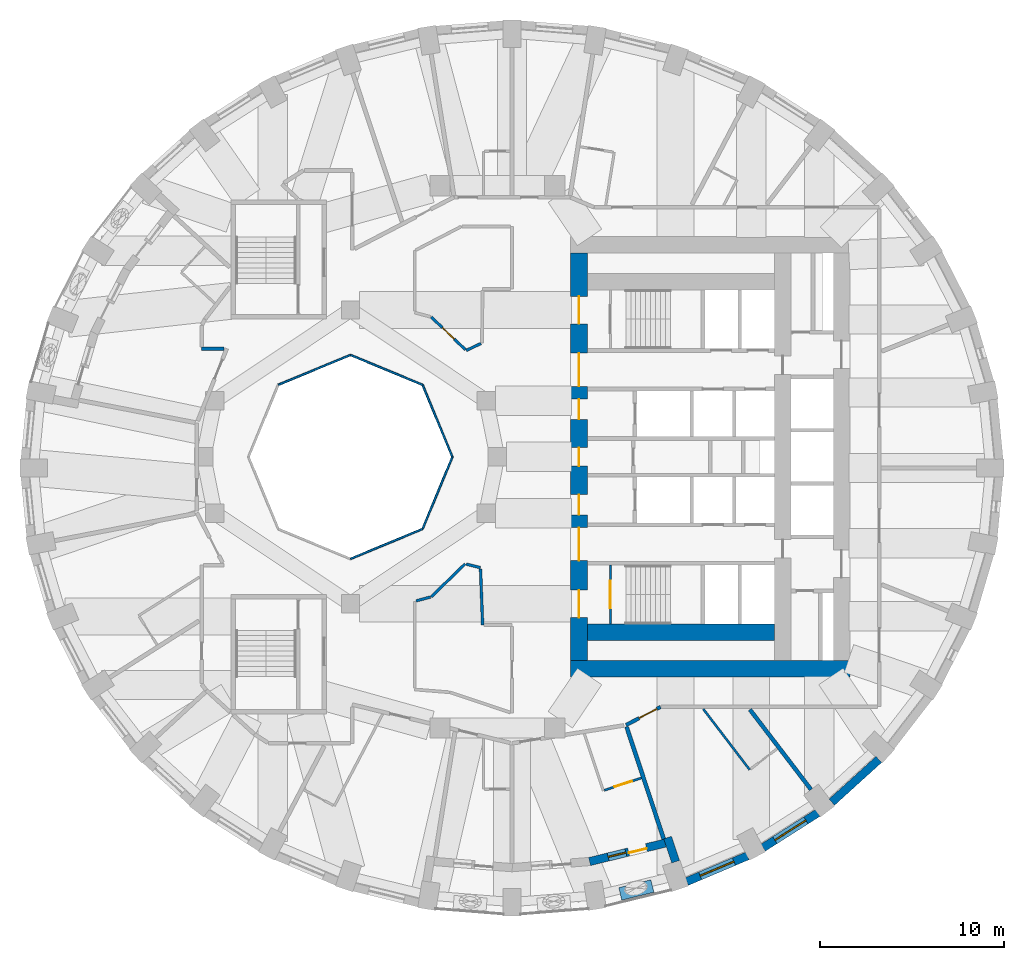
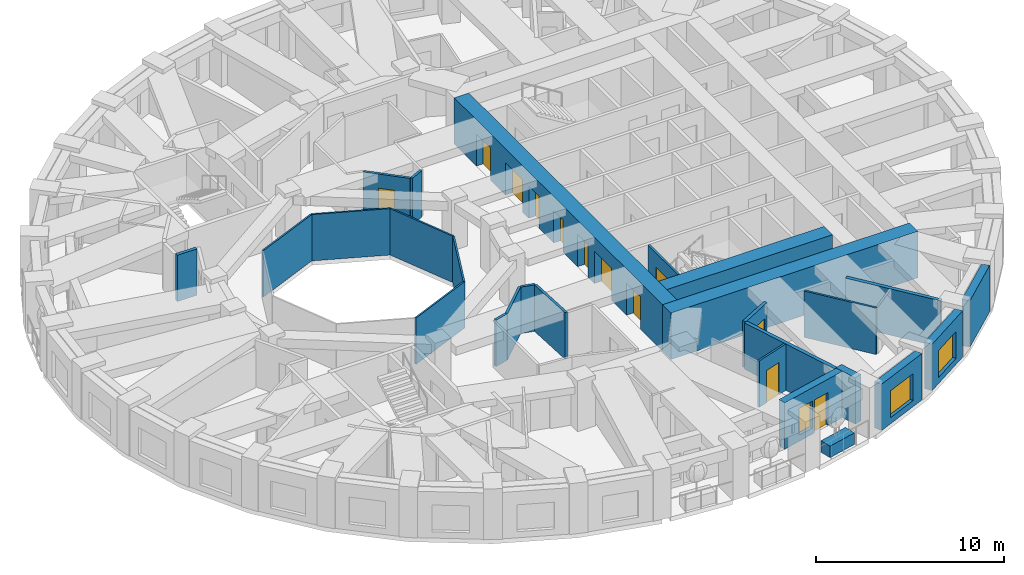
# One storey, part 5 of 13: 27 walls, 12 doors, 3 windows, 15 openings.
"""IFC4 building model written with IfcOpenShell, lengths in metres."""

from ifc_helpers import new_model, si_unit, direction, frame, frame_2d, origin, place, context, subcontext, project, spatial, rectangle, extrude, material, layer, layer_set, constituent, constituent_set, type_object, element, fill, save


model = new_model("IFC4")

# Units and contexts
model_context = context("Model", 3, precision=1e-05, world=origin(), true_north=direction((0.0, 1.0)))
body_context = subcontext(model_context, "Body", "Model", "MODEL_VIEW")
ifc_project = project(units=[si_unit("LENGTHUNIT", "METRE"), si_unit("AREAUNIT", "SQUARE_METRE"), si_unit("VOLUMEUNIT", "CUBIC_METRE"), si_unit("PLANEANGLEUNIT", "RADIAN"), si_unit("MASSUNIT", "GRAM", prefix="KILO")], contexts=[model_context])

# Site, building, storey
site_placement = place(None, origin())
site = spatial("IfcSite", under=ifc_project, at=site_placement, CompositionType="ELEMENT")
building_placement = place(site_placement, origin())
building = spatial("IfcBuilding", under=site, at=building_placement, Name="Taillehof Tower", CompositionType="ELEMENT")
storey_placement = place(building_placement, frame((0.0, 0.0, 108.699951171875)))
storey = spatial("IfcBuildingStorey", under=building, at=storey_placement, Name="L30", CompositionType="ELEMENT", Elevation=108.699951171875)

# Walls
ifc_material_1 = material(Name="Fire-resisting glass in steel frame", Category="steel")
ifc_layer_1 = layer(ifc_material_1, 0.10009765625)
ifc_layer_set_1 = layer_set([ifc_layer_1], Name="Atrium fire-resisting screen EI 60 100")
wall_type_1 = type_object("IfcWallType", Name="Atrium fire-resisting screen EI 60 100", PredefinedType="PARTITIONING", material=ifc_layer_set_1)
for number, where, z_axis, x_axis, name in (
    (1, (-2.44580078125, 0.0, 0.0), (0.0, 0.0, 1.0), (-0.382730523909, -0.923860025149, 0.0), "Atrium screen"),
    (2, (-4.07275390625, -3.92724609375, 0.0), (0.0, 0.0, 1.0), (-0.923860025149, -0.382730523909, 0.0), "Atrium screen"),
    (3, (-11.92724609375, 3.92724609375, 0.0), (0.0, 0.0, 1.0), (0.923860025149, 0.382730523909, 0.0), "Atrium screen"),
    (4, (-8.0, 5.55419921875, 0.0), (0.0, 0.0, 1.0), (0.923860025149, -0.382730523909, 0.0), "Atrium screen"),
    (5, (-4.07275390625, 3.92724609375, 0.0), (0.0, 0.0, 1.0), (0.382730523909, -0.923860025149, 0.0), "Atrium screen"),
):
    element("IfcWall", number, at=place(storey_placement, frame(where, z_axis=z_axis, x_axis=x_axis)), inside=storey, type_object=wall_type_1, Name=name, PredefinedType="PARTITIONING", context=body_context, shape_type="SweptSolid", body=[
        extrude(rectangle(XDim=4.2509765625, YDim=0.10009765625, at=frame_2d((2.12548828125, 0.0))), origin(), (0.0, 0.0, 1.0), 3.02001953125),
    ])

# Wall, opening, window
ifc_material_2 = material(Name="Brick masonry", Category="masonry")
ifc_layer_2 = layer(ifc_material_2, 0.449951171875)
ifc_layer_set_2 = layer_set([ifc_layer_2], Name="Brick infill wall 450")
wall_type_2 = type_object("IfcWallType", Name="Brick infill wall 450", PredefinedType="SOLIDWALL", material=ifc_layer_set_2)
wall_1_placement = place(storey_placement, frame((10.318115234375, -23.133544921875, 0.0), z_axis=(0.0, 0.0, 1.0), x_axis=(0.920869643542, 0.389870619055, 0.0)))
wall_1 = element("IfcWall", 6, at=wall_1_placement, inside=storey, type_object=wall_type_2, Name="Brick wall L30 bay 30", PredefinedType="SOLIDWALL", context=body_context, shape_type="SweptSolid", body=[
    extrude(rectangle(XDim=3.59130859375, YDim=0.449951171875, at=frame_2d((1.795654296875, 0.0))), origin(), (0.0, 0.0, 1.0), 3.02001953125),
])
opening_1_placement = place(wall_1_placement, frame((0.795654296875, 0.0, 0.39990234375)))
opening_1 = element("IfcOpeningElement", 7, at=opening_1_placement, cuts=wall_1, Name="Opening W2", PredefinedType="OPENING", context=body_context, shape_type="SweptSolid", body=[
    extrude(rectangle(XDim=2.0, YDim=1.75, at=frame_2d((1.0, 0.875))), frame((0.0, 0.23486328125, 0.0), z_axis=(0.0, -1.0, 0.0), x_axis=(1.0, 0.0, 0.0)), (0.0, 0.0, 1.0), 0.469970703125),
])
ifc_material_3 = material(Name="Aluminium window frame with clear double glazing", Category="aluminium")
window_type_1 = type_object("IfcWindowType", Name="Deep-set window 2000x1750", PartitioningType="SINGLE_PANEL", PredefinedType="WINDOW", material=ifc_material_3)
window_1_placement = place(opening_1_placement, origin())
window_1 = element("IfcWindow", 8, at=window_1_placement, inside=storey, type_object=window_type_1, Name="W2", OverallHeight=1.75, OverallWidth=2.0, PartitioningType="SINGLE_PANEL", PredefinedType="WINDOW", context=body_context, shape_type="SweptSolid", body=[
    extrude(rectangle(XDim=2.0, YDim=1.75, at=frame_2d((1.0, 0.875))), frame((0.0, 0.034912109375, 0.0), z_axis=(0.0, -1.0, 0.0), x_axis=(1.0, 0.0, 0.0)), (0.0, 0.0, 1.0), 0.06005859375),
])
fill(opening_1, window_1)

wall_2_placement = place(storey_placement, frame((14.475341796875, -21.287109375, 0.0), z_axis=(0.0, 0.0, 1.0), x_axis=(0.843911841423, 0.536481876587, 0.0)))
wall_2 = element("IfcWall", 9, at=wall_2_placement, inside=storey, type_object=wall_type_2, Name="Brick wall L30 bay 31", PredefinedType="SOLIDWALL", context=body_context, shape_type="SweptSolid", body=[
    extrude(rectangle(XDim=3.5322265625, YDim=0.449951171875, at=frame_2d((1.76611328125, 0.0))), origin(), (0.0, 0.0, 1.0), 3.02001953125),
])
opening_2_placement = place(wall_2_placement, frame((0.76611328125, 0.0, 0.39990234375)))
opening_2 = element("IfcOpeningElement", 10, at=opening_2_placement, cuts=wall_2, Name="Opening W2", PredefinedType="OPENING", context=body_context, shape_type="SweptSolid", body=[
    extrude(rectangle(XDim=2.0, YDim=1.75, at=frame_2d((1.0, 0.875))), frame((0.0, 0.23486328125, 0.0), z_axis=(0.0, -1.0, 0.0), x_axis=(1.0, 0.0, 0.0)), (0.0, 0.0, 1.0), 0.469970703125),
])
window_2_placement = place(opening_2_placement, origin())
window_2 = element("IfcWindow", 11, at=window_2_placement, inside=storey, type_object=window_type_1, Name="W2", OverallHeight=1.75, OverallWidth=2.0, PartitioningType="SINGLE_PANEL", PredefinedType="WINDOW", context=body_context, shape_type="SweptSolid", body=[
    extrude(rectangle(XDim=2.0, YDim=1.75, at=frame_2d((1.0, 0.875))), frame((0.0, 0.034912109375, 0.0), z_axis=(0.0, -1.0, 0.0), x_axis=(1.0, 0.0, 0.0)), (0.0, 0.0, 1.0), 0.06005859375),
])
fill(opening_2, window_2)

# Walls
wall_3_placement = place(storey_placement, frame((18.219482421875, -18.8095703125, 0.0), z_axis=(0.0, 0.0, 1.0), x_axis=(0.740364106106, 0.672206062446, 0.0)))
element("IfcWall", 12, at=wall_3_placement, inside=storey, type_object=wall_type_2, Name="Brick wall L30 bay 32", PredefinedType="SOLIDWALL", context=body_context, shape_type="SweptSolid", body=[
    extrude(rectangle(XDim=3.4638671875, YDim=0.449951171875, at=frame_2d((1.73193359375, 0.0))), origin(), (0.0, 0.0, 1.0), 3.02001953125),
])
wall_4_placement = place(storey_placement, frame((9.71435546875, -22.05322265625, 0.0), z_axis=(0.0, 0.0, 1.0), x_axis=(-0.314647068585, 0.949208734805, 0.0)))
element("IfcWall", 13, at=wall_4_placement, inside=storey, type_object=wall_type_2, Name="Brick reveal L30 pocket 8", PredefinedType="SOLIDWALL", context=body_context, shape_type="SweptSolid", body=[
    extrude(rectangle(XDim=1.390380859375, YDim=0.449951171875, at=frame_2d((0.6953125, 0.0))), origin(), (0.0, 0.0, 1.0), 3.02001953125),
])

# Wall, openings, door, window
wall_5_placement = place(storey_placement, frame((5.02001953125, -22.041015625, 0.0), z_axis=(0.0, 0.0, 1.0), x_axis=(0.971521631711, 0.236950879125, 0.0)))
wall_5 = element("IfcWall", 14, at=wall_5_placement, inside=storey, type_object=wall_type_2, Name="Brick wall L30 pocket bay 29", PredefinedType="SOLIDWALL", context=body_context, shape_type="SweptSolid", body=[
    extrude(rectangle(XDim=4.240966796875, YDim=0.449951171875, at=frame_2d((2.12060546875, 0.0))), origin(), (0.0, 0.0, 1.0), 3.02001953125),
])
opening_3_placement = place(wall_5_placement, frame((1.04541015625, 0.0, 0.39990234375)))
opening_3 = element("IfcOpeningElement", 15, at=opening_3_placement, cuts=wall_5, Name="Opening W5", PredefinedType="OPENING", context=body_context, shape_type="SweptSolid", body=[
    extrude(rectangle(XDim=1.0, YDim=1.75, at=frame_2d((0.5, 0.875))), frame((0.0, 0.23486328125, 0.0), z_axis=(0.0, -1.0, 0.0), x_axis=(1.0, 0.0, 0.0)), (0.0, 0.0, 1.0), 0.469970703125),
])
opening_4_placement = place(wall_5_placement, frame((2.195556640625, 0.0, 0.0)))
opening_4 = element("IfcOpeningElement", 16, at=opening_4_placement, cuts=wall_5, Name="Opening D3096", PredefinedType="OPENING", context=body_context, shape_type="SweptSolid", body=[
    extrude(rectangle(XDim=1.0, YDim=2.14990234375, at=frame_2d((0.5, 1.074951171875))), frame((0.0, 0.23486328125, 0.0), z_axis=(0.0, -1.0, 0.0), x_axis=(1.0, 0.0, 0.0)), (0.0, 0.0, 1.0), 0.469970703125),
])
ifc_material_4 = material(Name="Aluminium door frame with clear double glazing", Category="aluminium")
door_type_1 = type_object("IfcDoorType", Name="Balcony door 1000x2150", OperationType="SINGLE_SWING_RIGHT", PredefinedType="DOOR", material=ifc_material_4)
door_1_placement = place(opening_4_placement, frame((1.0, 0.0, 0.0), z_axis=(0.0, 0.0, 1.0), x_axis=(-1.0, 0.0, 0.0)))
door_1 = element("IfcDoor", 17, at=door_1_placement, inside=storey, type_object=door_type_1, Name="Balcony door L30 bay 29", OperationType="SINGLE_SWING_LEFT", OverallHeight=2.14990234375, OverallWidth=1.0, PredefinedType="DOOR", context=body_context, shape_type="SweptSolid", body=[
    extrude(rectangle(XDim=1.0, YDim=2.14990234375, at=frame_2d((0.5, 1.074951171875))), frame((0.0, 0.0751953125, 0.0), z_axis=(0.0, -1.0, 0.0), x_axis=(1.0, 0.0, 0.0)), (0.0, 0.0, 1.0), 0.050048828125),
])
fill(opening_4, door_1)
ifc_material_5 = material(Name="Aluminium window frame with clear double glazing", Category="aluminium")
window_type_2 = type_object("IfcWindowType", Name="Fixed window 1000x1750", PartitioningType="SINGLE_PANEL", PredefinedType="WINDOW", material=ifc_material_5)
window_3_placement = place(opening_3_placement, origin())
window_3 = element("IfcWindow", 18, at=window_3_placement, inside=storey, type_object=window_type_2, Name="W5", OverallHeight=1.75, OverallWidth=1.0, PartitioningType="SINGLE_PANEL", PredefinedType="WINDOW", context=body_context, shape_type="SweptSolid", body=[
    extrude(rectangle(XDim=1.0, YDim=1.75, at=frame_2d((0.5, 0.875))), frame((0.0, 0.034912109375, 0.0), z_axis=(0.0, -1.0, 0.0), x_axis=(1.0, 0.0, 0.0)), (0.0, 0.0, 1.0), 0.06005859375),
])
fill(opening_3, window_3)

# Wall
ifc_material_6 = material(Name="Gypsum board on steel studs, two layers each side", Category="steel")
ifc_layer_3 = layer(ifc_material_6, 0.199951171875)
ifc_layer_set_3 = layer_set([ifc_layer_3], Name="Compartment wall corridor 200")
wall_type_3 = type_object("IfcWallType", Name="Compartment wall corridor 200", PredefinedType="PARTITIONING", material=ifc_layer_set_3)
wall_6_placement = place(storey_placement, frame((-14.878662109375, 5.89990234375, 0.0), z_axis=(0.0, 0.0, 1.0), x_axis=(-1.0, 0.0, 0.0)))
element("IfcWall", 19, at=wall_6_placement, inside=storey, type_object=wall_type_3, Name="Compartment wall", PredefinedType="PARTITIONING", context=body_context, shape_type="SweptSolid", body=[
    extrude(rectangle(XDim=1.221435546875, YDim=0.199951171875, at=frame_2d((0.61083984375, 0.0))), origin(), (0.0, 0.0, 1.0), 3.02001953125),
])

# Wall, opening, door
wall_7_placement = place(storey_placement, frame((8.892333984375, -13.61865234375, 0.0), z_axis=(0.0, 0.0, 1.0), x_axis=(-0.885696642175, -0.464264426852, 0.0)))
wall_7 = element("IfcWall", 20, at=wall_7_placement, inside=storey, type_object=wall_type_3, Name="Compartment wall", PredefinedType="PARTITIONING", context=body_context, shape_type="SweptSolid", body=[
    extrude(rectangle(XDim=2.1259765625, YDim=0.199951171875, at=frame_2d((1.06298828125, 0.0))), origin(), (0.0, 0.0, 1.0), 3.02001953125),
])
opening_5_placement = place(wall_7_placement, frame((0.219970703125, 0.0, 0.0)))
opening_5 = element("IfcOpeningElement", 21, at=opening_5_placement, cuts=wall_7, Name="Opening D3062", PredefinedType="OPENING", context=body_context, shape_type="SweptSolid", body=[
    extrude(rectangle(XDim=1.10009765625, YDim=2.10009765625, at=frame_2d((0.550048828125, 1.050048828125))), frame((0.0, 0.10986328125, 0.0), z_axis=(0.0, -1.0, 0.0), x_axis=(1.0, 0.0, 0.0)), (0.0, 0.0, 1.0), 0.219970703125),
])
ifc_material_7 = material(Name="Timber door leaf in steel frame", Category="steel")
door_type_2 = type_object("IfcDoorType", Name="Suite entrance door EI 30 1100 x 2100", OperationType="SINGLE_SWING_LEFT", PredefinedType="DOOR", material=ifc_material_7)
door_2_placement = place(opening_5_placement, origin())
door_2 = element("IfcDoor", 22, at=door_2_placement, inside=storey, type_object=door_type_2, Name="D3062", OperationType="SINGLE_SWING_LEFT", OverallHeight=2.10009765625, OverallWidth=1.10009765625, PredefinedType="DOOR", context=body_context, shape_type="SweptSolid", body=[
    extrude(rectangle(XDim=1.10009765625, YDim=2.10009765625, at=frame_2d((0.550048828125, 1.050048828125))), frame((0.0, 0.02490234375, 0.0), z_axis=(0.0, -1.0, 0.0), x_axis=(1.0, 0.0, 0.0)), (0.0, 0.0, 1.0), 0.050048828125),
])
fill(opening_5, door_2)

# Walls
ifc_material_8 = material(Name="Gypsum board on double steel studs with mineral wool", Category="steel")
ifc_layer_4 = layer(ifc_material_8, 0.219970703125)
ifc_layer_set_4 = layer_set([ifc_layer_4], Name="Compartment wall guest room 220")
wall_type_4 = type_object("IfcWallType", Name="Compartment wall guest room 220", PredefinedType="PARTITIONING", material=ifc_layer_set_4)
wall_8_placement = place(storey_placement, frame((9.069091796875, -20.82177734375, 0.0), z_axis=(0.0, 0.0, 1.0), x_axis=(-0.31452344537, 0.949249704932, 0.0)))
element("IfcWall", 23, at=wall_8_placement, inside=storey, type_object=wall_type_4, Name="Compartment wall", PredefinedType="PARTITIONING", context=body_context, shape_type="SweptSolid", body=[
    extrude(rectangle(XDim=6.447998046875, YDim=0.219970703125, at=frame_2d((3.22412109375, 0.0))), origin(), (0.0, 0.0, 1.0), 3.02001953125),
])
wall_9_placement = place(storey_placement, frame((17.08935546875, -18.120849609375, 0.0), z_axis=(0.0, 0.0, 1.0), x_axis=(-0.607064955951, 0.794652212767, 0.0)))
element("IfcWall", 24, at=wall_9_placement, inside=storey, type_object=wall_type_4, Name="Compartment wall", PredefinedType="PARTITIONING", context=body_context, shape_type="SweptSolid", body=[
    extrude(rectangle(XDim=5.483154296875, YDim=0.219970703125, at=frame_2d((2.74169921875, 0.0))), origin(), (0.0, 0.0, 1.0), 3.02001953125),
])
ifc_material_9 = material(Name="Gypsum board on steel studs, two layers each side", Category="steel")
ifc_layer_5 = layer(ifc_material_9, 0.14990234375)
ifc_layer_set_5 = layer_set([ifc_layer_5], Name="Compartment wall service room 150")
wall_type_5 = type_object("IfcWallType", Name="Compartment wall service room 150", PredefinedType="PARTITIONING", material=ifc_layer_set_5)
wall_10_placement = place(storey_placement, frame((-0.891845703125, 6.1787109375, 0.0), z_axis=(0.0, 0.0, 1.0), x_axis=(-0.903944794982, -0.427649164181, 0.0)))
element("IfcWall", 25, at=wall_10_placement, inside=storey, type_object=wall_type_5, Name="Compartment wall", PredefinedType="PARTITIONING", context=body_context, shape_type="SweptSolid", body=[
    extrude(rectangle(XDim=0.88818359375, YDim=0.14990234375, at=frame_2d((0.444091796875, 0.0))), origin(), (0.0, 0.0, 1.0), 3.02001953125),
])

# Wall, opening, door
wall_11_placement = place(storey_placement, frame((-1.738037109375, 5.840576171875, 0.0), z_axis=(0.0, 0.0, 1.0), x_axis=(-0.722802374111, 0.691054793761, 0.0)))
wall_11 = element("IfcWall", 26, at=wall_11_placement, inside=storey, type_object=wall_type_5, Name="Compartment wall", PredefinedType="PARTITIONING", context=body_context, shape_type="SweptSolid", body=[
    extrude(rectangle(XDim=2.576171875, YDim=0.14990234375, at=frame_2d((1.2880859375, 0.0))), origin(), (0.0, 0.0, 1.0), 3.02001953125),
])
opening_6_placement = place(wall_11_placement, frame((0.838134765625, 0.0, 0.0)))
opening_6 = element("IfcOpeningElement", 27, at=opening_6_placement, cuts=wall_11, Name="Opening D3068", PredefinedType="OPENING", context=body_context, shape_type="SweptSolid", body=[
    extrude(rectangle(XDim=0.89990234375, YDim=2.10009765625, at=frame_2d((0.449951171875, 1.050048828125))), frame((0.0, 0.0849609375, 0.0), z_axis=(0.0, -1.0, 0.0), x_axis=(1.0, 0.0, 0.0)), (0.0, 0.0, 1.0), 0.169921875),
])
ifc_material_10 = material(Name="Timber door leaf in steel frame", Category="steel")
door_type_3 = type_object("IfcDoorType", Name="Service room door EI 30 900 x 2100", OperationType="SINGLE_SWING_LEFT", PredefinedType="DOOR", material=ifc_material_10)
door_3_placement = place(opening_6_placement, origin())
door_3 = element("IfcDoor", 28, at=door_3_placement, inside=storey, type_object=door_type_3, Name="D3068", OperationType="SINGLE_SWING_RIGHT", OverallHeight=2.10009765625, OverallWidth=0.89990234375, PredefinedType="DOOR", context=body_context, shape_type="SweptSolid", body=[
    extrude(rectangle(XDim=0.89990234375, YDim=2.10009765625, at=frame_2d((0.449951171875, 1.050048828125))), frame((0.0, 0.02490234375, 0.0), z_axis=(0.0, -1.0, 0.0), x_axis=(1.0, 0.0, 0.0)), (0.0, 0.0, 1.0), 0.050048828125),
])
fill(opening_6, door_3)

# Walls
wall_12_placement = place(storey_placement, frame((-3.60009765625, -7.620849609375, 0.0), z_axis=(0.0, 0.0, 1.0), x_axis=(0.717359204099, 0.696703503862, 0.0)))
element("IfcWall", 29, at=wall_12_placement, inside=storey, type_object=wall_type_5, Name="Compartment wall", PredefinedType="PARTITIONING", context=body_context, shape_type="SweptSolid", body=[
    extrude(rectangle(XDim=2.57666015625, YDim=0.14990234375, at=frame_2d((1.288330078125, 0.0))), origin(), (0.0, 0.0, 1.0), 3.02001953125),
])
wall_13_placement = place(storey_placement, frame((-1.69384765625, -5.84033203125, 0.0), z_axis=(0.0, 0.0, 1.0), x_axis=(0.970106576928, -0.242679272705, 0.0)))
element("IfcWall", 30, at=wall_13_placement, inside=storey, type_object=wall_type_5, Name="Compartment wall", PredefinedType="PARTITIONING", context=body_context, shape_type="SweptSolid", body=[
    extrude(rectangle(XDim=0.7998046875, YDim=0.14990234375, at=frame_2d((0.39990234375, 0.0))), origin(), (0.0, 0.0, 1.0), 3.02001953125),
])
wall_14_placement = place(storey_placement, frame((-0.9150390625, -6.114501953125, 0.0), z_axis=(0.0, 0.0, 1.0), x_axis=(0.037855898917, -0.999283208564, 0.0)))
element("IfcWall", 31, at=wall_14_placement, inside=storey, type_object=wall_type_5, Name="Compartment wall", PredefinedType="PARTITIONING", context=body_context, shape_type="SweptSolid", body=[
    extrude(rectangle(XDim=3.03759765625, YDim=0.14990234375, at=frame_2d((1.518798828125, 0.0))), origin(), (0.0, 0.0, 1.0), 3.02001953125),
])
wall_15_placement = place(storey_placement, frame((-4.4228515625, -7.841552734375, 0.0), z_axis=(0.0, 0.0, 1.0), x_axis=(0.96582447955, 0.259196980502, 0.0)))
element("IfcWall", 32, at=wall_15_placement, inside=storey, type_object=wall_type_5, Name="Compartment wall", PredefinedType="PARTITIONING", context=body_context, shape_type="SweptSolid", body=[
    extrude(rectangle(XDim=0.81201171875, YDim=0.14990234375, at=frame_2d((0.406005859375, 0.0))), origin(), (0.0, 0.0, 1.0), 3.02001953125),
])

# Wall, openings, doors
ifc_material_11 = material(Name="Concrete C80/95", Category="concrete")
ifc_layer_6 = layer(ifc_material_11, 0.89990234375)
ifc_layer_set_6 = layer_set([ifc_layer_6], Name="Core wall C80/95 900")
wall_type_6 = type_object("IfcWallType", Name="Core wall C80/95 900", PredefinedType="SHEAR", material=ifc_layer_set_6)
wall_16_placement = place(storey_placement, frame((4.449951171875, -11.10009765625, 0.0), z_axis=(0.0, 0.0, 1.0), x_axis=(0.0, 1.0, 0.0)))
wall_16 = element("IfcWall", 33, at=wall_16_placement, inside=storey, type_object=wall_type_6, Name="Core wall CW01", PredefinedType="SHEAR", context=body_context, shape_type="SweptSolid", body=[
    extrude(rectangle(XDim=22.2001953125, YDim=0.89990234375, at=frame_2d((11.10009765625, 0.0))), origin(), (0.0, 0.0, 1.0), 3.02001953125),
])
opening_7_placement = place(wall_16_placement, frame((2.35009765625, 0.0, 0.0)))
opening_7 = element("IfcOpeningElement", 34, at=opening_7_placement, cuts=wall_16, Name="Opening D3001", PredefinedType="OPENING", context=body_context, shape_type="SweptSolid", body=[
    extrude(rectangle(XDim=1.5, YDim=2.10009765625, at=frame_2d((0.75, 1.050048828125))), frame((0.0, 0.4599609375, 0.0), z_axis=(0.0, -1.0, 0.0), x_axis=(1.0, 0.0, 0.0)), (0.0, 0.0, 1.0), 0.919921875),
])
opening_8_placement = place(wall_16_placement, frame((5.449951171875, 0.0, 0.0)))
opening_8 = element("IfcOpeningElement", 35, at=opening_8_placement, cuts=wall_16, Name="Opening D3002", PredefinedType="OPENING", context=body_context, shape_type="SweptSolid", body=[
    extrude(rectangle(XDim=1.800048828125, YDim=2.10009765625, at=frame_2d((0.89990234375, 1.050048828125))), frame((0.0, 0.4599609375, 0.0), z_axis=(0.0, -1.0, 0.0), x_axis=(1.0, 0.0, 0.0)), (0.0, 0.0, 1.0), 0.919921875),
])
opening_9_placement = place(wall_16_placement, frame((7.949951171875, 0.0, 0.0)))
opening_9 = element("IfcOpeningElement", 36, at=opening_9_placement, cuts=wall_16, Name="Opening D3003", PredefinedType="OPENING", context=body_context, shape_type="SweptSolid", body=[
    extrude(rectangle(XDim=1.10009765625, YDim=2.10009765625, at=frame_2d((0.550048828125, 1.050048828125))), frame((0.0, 0.4599609375, 0.0), z_axis=(0.0, -1.0, 0.0), x_axis=(1.0, 0.0, 0.0)), (0.0, 0.0, 1.0), 0.919921875),
])
opening_10_placement = place(wall_16_placement, frame((10.60009765625, 0.0, 0.0)))
opening_10 = element("IfcOpeningElement", 37, at=opening_10_placement, cuts=wall_16, Name="Opening D3004", PredefinedType="OPENING", context=body_context, shape_type="SweptSolid", body=[
    extrude(rectangle(XDim=1.0, YDim=2.10009765625, at=frame_2d((0.5, 1.050048828125))), frame((0.0, 0.4599609375, 0.0), z_axis=(0.0, -1.0, 0.0), x_axis=(1.0, 0.0, 0.0)), (0.0, 0.0, 1.0), 0.919921875),
])
opening_11_placement = place(wall_16_placement, frame((13.14990234375, 0.0, 0.0)))
opening_11 = element("IfcOpeningElement", 38, at=opening_11_placement, cuts=wall_16, Name="Opening D3005", PredefinedType="OPENING", context=body_context, shape_type="SweptSolid", body=[
    extrude(rectangle(XDim=1.10009765625, YDim=2.10009765625, at=frame_2d((0.550048828125, 1.050048828125))), frame((0.0, 0.4599609375, 0.0), z_axis=(0.0, -1.0, 0.0), x_axis=(1.0, 0.0, 0.0)), (0.0, 0.0, 1.0), 0.919921875),
])
opening_12_placement = place(wall_16_placement, frame((14.949951171875, 0.0, 0.0)))
opening_12 = element("IfcOpeningElement", 39, at=opening_12_placement, cuts=wall_16, Name="Opening D3006", PredefinedType="OPENING", context=body_context, shape_type="SweptSolid", body=[
    extrude(rectangle(XDim=1.800048828125, YDim=2.10009765625, at=frame_2d((0.89990234375, 1.050048828125))), frame((0.0, 0.4599609375, 0.0), z_axis=(0.0, -1.0, 0.0), x_axis=(1.0, 0.0, 0.0)), (0.0, 0.0, 1.0), 0.919921875),
])
opening_13_placement = place(wall_16_placement, frame((18.35009765625, 0.0, 0.0)))
opening_13 = element("IfcOpeningElement", 40, at=opening_13_placement, cuts=wall_16, Name="Opening D3007", PredefinedType="OPENING", context=body_context, shape_type="SweptSolid", body=[
    extrude(rectangle(XDim=1.5, YDim=2.10009765625, at=frame_2d((0.75, 1.050048828125))), frame((0.0, 0.4599609375, 0.0), z_axis=(0.0, -1.0, 0.0), x_axis=(1.0, 0.0, 0.0)), (0.0, 0.0, 1.0), 0.919921875),
])
ifc_material_12 = material(Name="Steel-faced fire door", Category="steel")
door_type_4 = type_object("IfcDoorType", Name="Firefighting lobby door 1100x2100", OperationType="SINGLE_SWING_RIGHT", PredefinedType="DOOR", material=ifc_material_12)
door_4_placement = place(opening_9_placement, origin())
door_4 = element("IfcDoor", 41, at=door_4_placement, inside=storey, type_object=door_type_4, Name="Firefighting lobby door FFL-S", OperationType="SINGLE_SWING_RIGHT", OverallHeight=2.10009765625, OverallWidth=1.10009765625, PredefinedType="DOOR", context=body_context, shape_type="SweptSolid", body=[
    extrude(rectangle(XDim=1.10009765625, YDim=2.10009765625, at=frame_2d((0.550048828125, 1.050048828125))), frame((0.0, 0.02490234375, 0.0), z_axis=(0.0, -1.0, 0.0), x_axis=(1.0, 0.0, 0.0)), (0.0, 0.0, 1.0), 0.050048828125),
])
fill(opening_9, door_4)
door_5_placement = place(opening_11_placement, origin())
door_5 = element("IfcDoor", 42, at=door_5_placement, inside=storey, type_object=door_type_4, Name="Firefighting lobby door FFL-N", OperationType="SINGLE_SWING_LEFT", OverallHeight=2.10009765625, OverallWidth=1.10009765625, PredefinedType="DOOR", context=body_context, shape_type="SweptSolid", body=[
    extrude(rectangle(XDim=1.10009765625, YDim=2.10009765625, at=frame_2d((0.550048828125, 1.050048828125))), frame((0.0, 0.02490234375, 0.0), z_axis=(0.0, -1.0, 0.0), x_axis=(1.0, 0.0, 0.0)), (0.0, 0.0, 1.0), 0.050048828125),
])
fill(opening_11, door_5)
ifc_material_13 = material(Name="Steel-faced fire door", Category="steel")
door_type_5 = type_object("IfcDoorType", Name="Lift lobby door 1800x2100", OperationType="DOUBLE_DOOR_SINGLE_SWING", PredefinedType="DOOR", material=ifc_material_13)
door_6_placement = place(opening_8_placement, origin())
door_6 = element("IfcDoor", 43, at=door_6_placement, inside=storey, type_object=door_type_5, Name="Lift lobby door LL-S", OperationType="DOUBLE_DOOR_SINGLE_SWING", OverallHeight=2.10009765625, OverallWidth=1.800048828125, PredefinedType="DOOR", context=body_context, shape_type="SweptSolid", body=[
    extrude(rectangle(XDim=1.800048828125, YDim=2.10009765625, at=frame_2d((0.89990234375, 1.050048828125))), frame((0.0, 0.02490234375, 0.0), z_axis=(0.0, -1.0, 0.0), x_axis=(1.0, 0.0, 0.0)), (0.0, 0.0, 1.0), 0.050048828125),
])
fill(opening_8, door_6)
door_7_placement = place(opening_12_placement, origin())
door_7 = element("IfcDoor", 44, at=door_7_placement, inside=storey, type_object=door_type_5, Name="Lift lobby door LL-N", OperationType="DOUBLE_DOOR_SINGLE_SWING", OverallHeight=2.10009765625, OverallWidth=1.800048828125, PredefinedType="DOOR", context=body_context, shape_type="SweptSolid", body=[
    extrude(rectangle(XDim=1.800048828125, YDim=2.10009765625, at=frame_2d((0.89990234375, 1.050048828125))), frame((0.0, 0.02490234375, 0.0), z_axis=(0.0, -1.0, 0.0), x_axis=(1.0, 0.0, 0.0)), (0.0, 0.0, 1.0), 0.050048828125),
])
fill(opening_12, door_7)
ifc_material_14 = material(Name="Steel-faced fire door", Category="steel")
door_type_6 = type_object("IfcDoorType", Name="Service door 1000x2100", OperationType="SINGLE_SWING_RIGHT", PredefinedType="DOOR", material=ifc_material_14)
door_8_placement = place(opening_10_placement, origin())
door_8 = element("IfcDoor", 45, at=door_8_placement, inside=storey, type_object=door_type_6, Name="Service door SV", OperationType="SINGLE_SWING_RIGHT", OverallHeight=2.10009765625, OverallWidth=1.0, PredefinedType="DOOR", context=body_context, shape_type="SweptSolid", body=[
    extrude(rectangle(XDim=1.0, YDim=2.10009765625, at=frame_2d((0.5, 1.050048828125))), frame((0.0, 0.02490234375, 0.0), z_axis=(0.0, -1.0, 0.0), x_axis=(1.0, 0.0, 0.0)), (0.0, 0.0, 1.0), 0.050048828125),
])
fill(opening_10, door_8)
ifc_material_15 = material(Name="Steel-faced fire door", Category="steel")
door_type_7 = type_object("IfcDoorType", Name="Stair door 1500x2100", OperationType="DOUBLE_DOOR_SINGLE_SWING", PredefinedType="DOOR", material=ifc_material_15)
door_9_placement = place(opening_7_placement, origin())
door_9 = element("IfcDoor", 46, at=door_9_placement, inside=storey, type_object=door_type_7, Name="Stair door S2", OperationType="DOUBLE_DOOR_SINGLE_SWING", OverallHeight=2.10009765625, OverallWidth=1.5, PredefinedType="DOOR", context=body_context, shape_type="SweptSolid", body=[
    extrude(rectangle(XDim=1.5, YDim=2.10009765625, at=frame_2d((0.75, 1.050048828125))), frame((0.0, 0.02490234375, 0.0), z_axis=(0.0, -1.0, 0.0), x_axis=(1.0, 0.0, 0.0)), (0.0, 0.0, 1.0), 0.050048828125),
])
fill(opening_7, door_9)
door_10_placement = place(opening_13_placement, origin())
door_10 = element("IfcDoor", 47, at=door_10_placement, inside=storey, type_object=door_type_7, Name="Stair door S1", OperationType="DOUBLE_DOOR_SINGLE_SWING", OverallHeight=2.10009765625, OverallWidth=1.5, PredefinedType="DOOR", context=body_context, shape_type="SweptSolid", body=[
    extrude(rectangle(XDim=1.5, YDim=2.10009765625, at=frame_2d((0.75, 1.050048828125))), frame((0.0, 0.02490234375, 0.0), z_axis=(0.0, -1.0, 0.0), x_axis=(1.0, 0.0, 0.0)), (0.0, 0.0, 1.0), 0.050048828125),
])
fill(opening_13, door_10)

# Walls
wall_17_placement = place(storey_placement, frame((4.0, -11.550048828125, 0.0), z_axis=(0.0, 0.0, 1.0), x_axis=(1.0, 0.0, 0.0)))
element("IfcWall", 48, at=wall_17_placement, inside=storey, type_object=wall_type_6, Name="Core wall CW04", PredefinedType="SHEAR", context=body_context, shape_type="SweptSolid", body=[
    extrude(rectangle(XDim=15.199951171875, YDim=0.89990234375, at=frame_2d((7.60009765625, 0.0))), origin(), (0.0, 0.0, 1.0), 3.02001953125),
])
wall_18_placement = place(storey_placement, frame((4.89990234375, -9.550048828125, 0.0), z_axis=(0.0, 0.0, 1.0), x_axis=(1.0, 0.0, 0.0)))
element("IfcWall", 49, at=wall_18_placement, inside=storey, type_object=wall_type_6, Name="Core wall CW07", PredefinedType="SHEAR", context=body_context, shape_type="SweptSolid", body=[
    extrude(rectangle(XDim=10.2001953125, YDim=0.89990234375, at=frame_2d((5.10009765625, 0.0))), origin(), (0.0, 0.0, 1.0), 3.02001953125),
])
ifc_material_16 = material(Name="Gypsum board on steel studs, moisture resistant", Category="steel")
ifc_layer_7 = layer(ifc_material_16, 0.1201171875)
ifc_layer_set_7 = layer_set([ifc_layer_7], Name="En-suite wall 120")
wall_type_7 = type_object("IfcWallType", Name="En-suite wall 120", PredefinedType="PARTITIONING", material=ifc_layer_set_7)
wall_19_placement = place(storey_placement, frame((11.219482421875, -13.73193359375, 0.0), z_axis=(0.0, 0.0, 1.0), x_axis=(0.607090774052, -0.794632488677, 0.0)))
element("IfcWall", 50, at=wall_19_placement, inside=storey, type_object=wall_type_7, Name="En-suite wall", PredefinedType="PARTITIONING", context=body_context, shape_type="SweptSolid", body=[
    extrude(rectangle(XDim=4.161865234375, YDim=0.1201171875, at=frame_2d((2.0810546875, 0.0))), origin(), (0.0, 0.0, 1.0), 3.02001953125),
])

# Wall, opening, door
wall_20_placement = place(storey_placement, frame((5.826904296875, -18.15771484375, 0.0), z_axis=(0.0, 0.0, 1.0), x_axis=(0.94926636949, 0.314473146318, 0.0)))
wall_20 = element("IfcWall", 51, at=wall_20_placement, inside=storey, type_object=wall_type_7, Name="En-suite wall", PredefinedType="PARTITIONING", context=body_context, shape_type="SweptSolid", body=[
    extrude(rectangle(XDim=2.129638671875, YDim=0.1201171875, at=frame_2d((1.06494140625, 0.0))), origin(), (0.0, 0.0, 1.0), 3.02001953125),
])
opening_14_placement = place(wall_20_placement, frame((0.589599609375, 0.0, 0.0)))
opening_14 = element("IfcOpeningElement", 52, at=opening_14_placement, cuts=wall_20, Name="Opening D3061", PredefinedType="OPENING", context=body_context, shape_type="SweptSolid", body=[
    extrude(rectangle(XDim=1.0, YDim=2.10009765625, at=frame_2d((0.5, 1.050048828125))), frame((0.0, 0.070068359375, 0.0), z_axis=(0.0, -1.0, 0.0), x_axis=(1.0, 0.0, 0.0)), (0.0, 0.0, 1.0), 0.14013671875),
])
ifc_material_17 = material(Name="Timber door leaf in steel frame", Category="steel")
door_type_8 = type_object("IfcDoorType", Name="Accessible en-suite door 1000 x 2100", OperationType="SINGLE_SWING_LEFT", PredefinedType="DOOR", material=ifc_material_17)
door_11_placement = place(opening_14_placement, origin())
door_11 = element("IfcDoor", 53, at=door_11_placement, inside=storey, type_object=door_type_8, Name="D3061", OperationType="SINGLE_SWING_LEFT", OverallHeight=2.10009765625, OverallWidth=1.0, PredefinedType="DOOR", context=body_context, shape_type="SweptSolid", body=[
    extrude(rectangle(XDim=1.0, YDim=2.10009765625, at=frame_2d((0.5, 1.050048828125))), frame((0.0, 0.02490234375, 0.0), z_axis=(0.0, -1.0, 0.0), x_axis=(1.0, 0.0, 0.0)), (0.0, 0.0, 1.0), 0.050048828125),
])
fill(opening_14, door_11)

# Wall
ifc_material_18 = material(Name="Concrete C30/37 precast", Category="concrete")
ifc_constituent_1 = constituent(ifc_material_18, Name="Structure", Category="concrete")
ifc_material_19 = material(Name="Insulated lining")
ifc_constituent_2 = constituent(ifc_material_19, Name="Lining")
ifc_constituent_set = constituent_set(constituents=[ifc_constituent_1, ifc_constituent_2], Name="Planter trough 700x750")
wall_type_8 = type_object("IfcWallType", Name="Planter trough 700x750", PredefinedType="USERDEFINED", material=ifc_constituent_set)
wall_21_placement = place(storey_placement, frame((6.69873046875, -23.80078125, 0.0), z_axis=(0.0, 0.0, 1.0), x_axis=(0.971654974133, 0.23640349245, 0.0)))
element("IfcWall", 54, at=wall_21_placement, inside=storey, type_object=wall_type_8, Name="Planter L30 bay 29", ObjectType="PLANTER", PredefinedType="USERDEFINED", context=body_context, shape_type="SweptSolid", body=[
    extrude(rectangle(XDim=1.800048828125, YDim=0.699951171875, at=frame_2d((0.89990234375, 0.0))), origin(), (0.0, 0.0, 1.0), 0.75),
])

# Wall, opening, door
ifc_material_20 = material(Name="Concrete C50/60", Category="concrete")
ifc_layer_8 = layer(ifc_material_20, 0.1201171875)
ifc_layer_set_8 = layer_set([ifc_layer_8], Name="Stair lobby wall C50/60 120")
wall_type_9 = type_object("IfcWallType", Name="Stair lobby wall C50/60 120", PredefinedType="SHEAR", material=ifc_layer_set_8)
wall_22_placement = place(storey_placement, frame((6.159912109375, -9.10009765625, 0.0), z_axis=(0.0, 0.0, 1.0), x_axis=(0.0, 1.0, 0.0)))
wall_22 = element("IfcWall", 55, at=wall_22_placement, inside=storey, type_object=wall_type_9, Name="Compartment wall SW", PredefinedType="SHEAR", context=body_context, shape_type="SweptSolid", body=[
    extrude(rectangle(XDim=3.2001953125, YDim=0.1201171875, at=frame_2d((1.60009765625, 0.0))), origin(), (0.0, 0.0, 1.0), 3.02001953125),
])
opening_15_placement = place(wall_22_placement, frame((0.85009765625, 0.0, 0.0)))
opening_15 = element("IfcOpeningElement", 56, at=opening_15_placement, cuts=wall_22, Name="Opening D3011", PredefinedType="OPENING", context=body_context, shape_type="SweptSolid", body=[
    extrude(rectangle(XDim=1.5, YDim=2.10009765625, at=frame_2d((0.75, 1.050048828125))), frame((0.0, 0.070068359375, 0.0), z_axis=(0.0, -1.0, 0.0), x_axis=(1.0, 0.0, 0.0)), (0.0, 0.0, 1.0), 0.14013671875),
])
door_12_placement = place(opening_15_placement, origin())
door_12 = element("IfcDoor", 57, at=door_12_placement, inside=storey, type_object=door_type_7, Name="Stair lobby door S2", OperationType="DOUBLE_DOOR_SINGLE_SWING", OverallHeight=2.10009765625, OverallWidth=1.5, PredefinedType="DOOR", context=body_context, shape_type="SweptSolid", body=[
    extrude(rectangle(XDim=1.5, YDim=2.10009765625, at=frame_2d((0.75, 1.050048828125))), frame((0.0, 0.02490234375, 0.0), z_axis=(0.0, -1.0, 0.0), x_axis=(1.0, 0.0, 0.0)), (0.0, 0.0, 1.0), 0.050048828125),
])
fill(opening_15, door_12)

save(model, "model.ifc")
